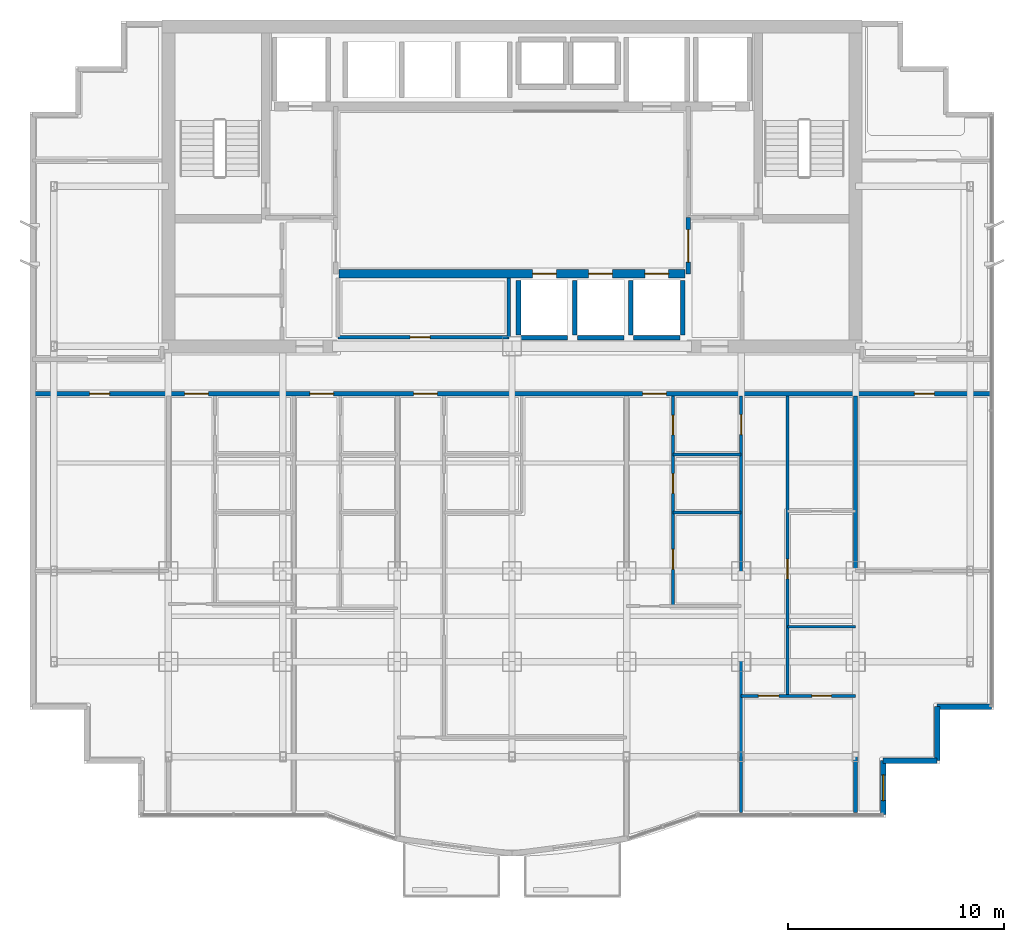
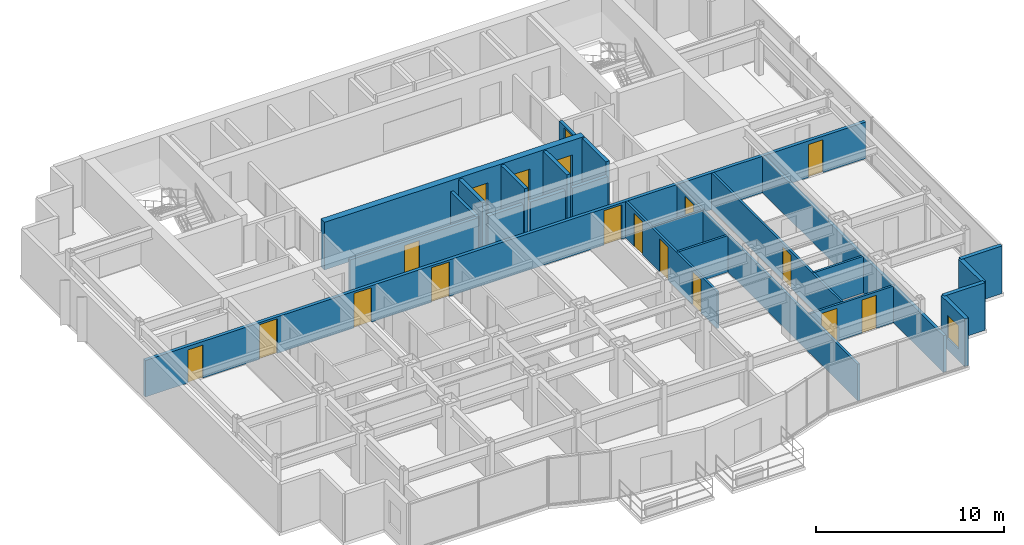
# One storey, part 9 of 13: 24 walls, 18 doors, 1 window, 19 openings.
"""IFC4 building model written with IfcOpenShell, lengths in metres."""

from ifc_helpers import new_model, si_unit, direction, frame, frame_2d, origin, place, context, subcontext, project, spatial, rectangle, extrude, material, layer, layer_set, type_object, element, fill, save


model = new_model("IFC4")

# Units and contexts
model_context = context("Model", 3, precision=1e-05, world=origin(), true_north=direction((0.0, 1.0)))
body_context = subcontext(model_context, "Body", "Model", "MODEL_VIEW")
ifc_project = project(units=[si_unit("LENGTHUNIT", "METRE"), si_unit("AREAUNIT", "SQUARE_METRE"), si_unit("VOLUMEUNIT", "CUBIC_METRE"), si_unit("PLANEANGLEUNIT", "RADIAN"), si_unit("MASSUNIT", "GRAM", prefix="KILO")], contexts=[model_context])

# Site, building, storey
site_placement = place(None, origin())
site = spatial("IfcSite", under=ifc_project, at=site_placement, CompositionType="ELEMENT")
building_placement = place(site_placement, origin())
building = spatial("IfcBuilding", under=site, at=building_placement, Name="Qianlan Lanfeng Residences", CompositionType="ELEMENT")
storey_placement = place(building_placement, frame((0.0, 0.0, 139.199951171875)))
storey = spatial("IfcBuildingStorey", under=building, at=storey_placement, Name="L37", CompositionType="ELEMENT", Elevation=139.199951171875)

# Wall, openings, doors
ifc_material_1 = material(Name="Concrete C56", Category="concrete")
ifc_layer_1 = layer(ifc_material_1, 0.39990234375)
ifc_layer_set_1 = layer_set([ifc_layer_1], Name="Concrete C56")
wall_type_1 = type_object("IfcWallType", Name="CW-RC-400", PredefinedType="SHEAR", material=ifc_layer_set_1)
wall_1_placement = place(storey_placement, frame((18.5, 28.550048828125, 0.0), z_axis=(0.0, 0.0, 1.0), x_axis=(1.0, 0.0, 0.0)))
wall_1 = element("IfcWall", 1, at=wall_1_placement, inside=storey, type_object=wall_type_1, Name="L37 Core Shear Wall LBS", PredefinedType="SHEAR", context=body_context, shape_type="SweptSolid", body=[
    extrude(rectangle(XDim=16.0, YDim=0.39990234375, at=frame_2d((8.0, 0.0))), origin(), (0.0, 0.0, 1.0), 3.10009765625),
])
opening_1_placement = place(wall_1_placement, frame((8.949951171875, 0.0, 0.0)))
opening_1 = element("IfcOpeningElement", 2, at=opening_1_placement, cuts=wall_1, Name="Opening L37-LD-PL-M1", PredefinedType="OPENING", context=body_context, shape_type="SweptSolid", body=[
    extrude(rectangle(XDim=1.10009765625, YDim=2.14990234375, at=frame_2d((0.550048828125, 1.074951171875))), frame((0.0, 0.2099609375, 0.0), z_axis=(0.0, -1.0, 0.0), x_axis=(1.0, 0.0, 0.0)), (0.0, 0.0, 1.0), 0.419921875),
])
opening_2_placement = place(wall_1_placement, frame((11.550048828125, 0.0, 0.0)))
opening_2 = element("IfcOpeningElement", 3, at=opening_2_placement, cuts=wall_1, Name="Opening L37-LD-PL-M2", PredefinedType="OPENING", context=body_context, shape_type="SweptSolid", body=[
    extrude(rectangle(XDim=1.10009765625, YDim=2.14990234375, at=frame_2d((0.550048828125, 1.074951171875))), frame((0.0, 0.2099609375, 0.0), z_axis=(0.0, -1.0, 0.0), x_axis=(1.0, 0.0, 0.0)), (0.0, 0.0, 1.0), 0.419921875),
])
opening_3_placement = place(wall_1_placement, frame((14.14990234375, 0.0, 0.0)))
opening_3 = element("IfcOpeningElement", 4, at=opening_3_placement, cuts=wall_1, Name="Opening L37-LD-PL-M3", PredefinedType="OPENING", context=body_context, shape_type="SweptSolid", body=[
    extrude(rectangle(XDim=1.10009765625, YDim=2.14990234375, at=frame_2d((0.550048828125, 1.074951171875))), frame((0.0, 0.2099609375, 0.0), z_axis=(0.0, -1.0, 0.0), x_axis=(1.0, 0.0, 0.0)), (0.0, 0.0, 1.0), 0.419921875),
])
ifc_material_2 = material(Name="Brushed Stainless Steel Sliding Lift Door", Category="steel")
door_type_1 = type_object("IfcDoorType", Name="LD-01", OperationType="NOTDEFINED", PredefinedType="DOOR", material=ifc_material_2)
door_1_placement = place(opening_1_placement, origin())
door_1 = element("IfcDoor", 5, at=door_1_placement, inside=storey, type_object=door_type_1, Name="L37 Elevator PL-M1 Sliding Landing Door", OperationType="DOUBLE_DOOR_SLIDING", OverallHeight=2.14990234375, OverallWidth=1.10009765625, PredefinedType="DOOR", context=body_context, shape_type="SweptSolid", body=[
    extrude(rectangle(XDim=1.10009765625, YDim=2.14990234375, at=frame_2d((0.550048828125, 1.074951171875))), frame((0.0, 0.02490234375, 0.0), z_axis=(0.0, -1.0, 0.0), x_axis=(1.0, 0.0, 0.0)), (0.0, 0.0, 1.0), 0.050048828125),
])
fill(opening_1, door_1)
door_2_placement = place(opening_2_placement, origin())
door_2 = element("IfcDoor", 6, at=door_2_placement, inside=storey, type_object=door_type_1, Name="L37 Elevator PL-M2 Sliding Landing Door", OperationType="DOUBLE_DOOR_SLIDING", OverallHeight=2.14990234375, OverallWidth=1.10009765625, PredefinedType="DOOR", context=body_context, shape_type="SweptSolid", body=[
    extrude(rectangle(XDim=1.10009765625, YDim=2.14990234375, at=frame_2d((0.550048828125, 1.074951171875))), frame((0.0, 0.02490234375, 0.0), z_axis=(0.0, -1.0, 0.0), x_axis=(1.0, 0.0, 0.0)), (0.0, 0.0, 1.0), 0.050048828125),
])
fill(opening_2, door_2)
door_3_placement = place(opening_3_placement, origin())
door_3 = element("IfcDoor", 7, at=door_3_placement, inside=storey, type_object=door_type_1, Name="L37 Elevator PL-M3 Sliding Landing Door", OperationType="DOUBLE_DOOR_SLIDING", OverallHeight=2.14990234375, OverallWidth=1.10009765625, PredefinedType="DOOR", context=body_context, shape_type="SweptSolid", body=[
    extrude(rectangle(XDim=1.10009765625, YDim=2.14990234375, at=frame_2d((0.550048828125, 1.074951171875))), frame((0.0, 0.02490234375, 0.0), z_axis=(0.0, -1.0, 0.0), x_axis=(1.0, 0.0, 0.0)), (0.0, 0.0, 1.0), 0.050048828125),
])
fill(opening_3, door_3)

# Wall, opening, window
ifc_material_3 = material(Name="Concrete C42", Category="concrete")
ifc_layer_2 = layer(ifc_material_3, 0.239990234375)
ifc_layer_set_2 = layer_set([ifc_layer_2], Name="Concrete C42")
wall_type_2 = type_object("IfcWallType", Name="EW-240", PredefinedType="SOLIDWALL", material=ifc_layer_set_2)
wall_2_placement = place(storey_placement, frame((43.679931640625, 3.52001953125, 0.0), z_axis=(0.0, 0.0, 1.0), x_axis=(0.0, 1.0, 0.0)))
wall_2 = element("IfcWall", 8, at=wall_2_placement, inside=storey, type_object=wall_type_2, Name="L37 Exterior Facade Spandrel Wall 7", PredefinedType="SOLIDWALL", context=body_context, shape_type="SweptSolid", body=[
    extrude(rectangle(XDim=2.5, YDim=0.239990234375, at=frame_2d((1.25, 0.0))), origin(), (0.0, 0.0, 1.0), 3.10009765625),
])
opening_4_placement = place(wall_2_placement, frame((0.64990234375, 0.0, 0.75)))
opening_4 = element("IfcOpeningElement", 9, at=opening_4_placement, cuts=wall_2, Name="Opening W-03", PredefinedType="OPENING", context=body_context, shape_type="SweptSolid", body=[
    extrude(rectangle(XDim=1.199951171875, YDim=1.5, at=frame_2d((0.60009765625, 0.75))), frame((0.0, 0.1298828125, 0.0), z_axis=(0.0, -1.0, 0.0), x_axis=(1.0, 0.0, 0.0)), (0.0, 0.0, 1.0), 0.260009765625),
])
ifc_material_4 = material(Name="Anodised Bronze Aluminium Framed Double Glazing", Category="aluminium")
window_type = type_object("IfcWindowType", Name="W-03", PartitioningType="SINGLE_PANEL", PredefinedType="WINDOW", material=ifc_material_4)
window_placement = place(opening_4_placement, origin())
window = element("IfcWindow", 10, at=window_placement, inside=storey, type_object=window_type, Name="L37 Facade Punched Window W-03", OverallHeight=1.5, OverallWidth=1.199951171875, PartitioningType="SINGLE_PANEL", PredefinedType="WINDOW", context=body_context, shape_type="SweptSolid", body=[
    extrude(rectangle(XDim=1.199951171875, YDim=1.5, at=frame_2d((0.60009765625, 0.75))), frame((0.0, 0.030029296875, 0.0), z_axis=(0.0, -1.0, 0.0), x_axis=(1.0, 0.0, 0.0)), (0.0, 0.0, 1.0), 0.06005859375),
])
fill(opening_4, window)

# Walls
for number, where, z_axis, x_axis, name in (
    (11, (43.679931640625, 6.02001953125, 0.0), (0.0, 0.0, 1.0), (1.0, 0.0, 0.0), "L37 Exterior Facade Spandrel Wall 8"),
    (12, (46.179931640625, 6.02001953125, 0.0), (0.0, 0.0, 1.0), (0.0, 1.0, 0.0), "L37 Exterior Facade Spandrel Wall 9"),
    (13, (46.179931640625, 8.52001953125, 0.0), (0.0, 0.0, 1.0), (1.0, 0.0, 0.0), "L37 Exterior Facade Spandrel Wall 10"),
):
    element("IfcWall", number, at=place(storey_placement, frame(where, z_axis=z_axis, x_axis=x_axis)), inside=storey, type_object=wall_type_2, Name=name, PredefinedType="SOLIDWALL", context=body_context, shape_type="SweptSolid", body=[
        extrude(rectangle(XDim=2.5, YDim=0.239990234375, at=frame_2d((1.25, 0.0))), origin(), (0.0, 0.0, 1.0), 3.10009765625),
    ])

# Wall, opening, door
ifc_material_5 = material(Name="Moisture-Resistant Gypsum Partition 135 mm")
ifc_layer_3 = layer(ifc_material_5, 0.135009765625)
ifc_layer_set_3 = layer_set([ifc_layer_3], Name="Moisture-Resistant Gypsum Partition 135 mm")
wall_type_3 = type_object("IfcWallType", Name="PW-135", PredefinedType="PARTITIONING", material=ifc_layer_set_3)
wall_3_placement = place(storey_placement, frame((37.10009765625, 3.6201171875, 0.0), z_axis=(0.0, 0.0, 1.0), x_axis=(0.0, 1.0, 0.0)))
wall_3 = element("IfcWall", 14, at=wall_3_placement, inside=storey, type_object=wall_type_3, Name="L37 U04 Bay Spine Wall 1", PredefinedType="PARTITIONING", context=body_context, shape_type="SweptSolid", body=[
    extrude(rectangle(XDim=19.27978515625, YDim=0.135009765625, at=frame_2d((9.639892578125, 0.0))), origin(), (0.0, 0.0, 1.0), 2.380126953125),
])
opening_5_placement = place(wall_3_placement, frame((17.4951171875, 0.0, 0.0)))
opening_5 = element("IfcOpeningElement", 15, at=opening_5_placement, cuts=wall_3, Name="Opening L37-D31", PredefinedType="OPENING", context=body_context, shape_type="SweptSolid", body=[
    extrude(rectangle(XDim=0.919921875, YDim=2.14990234375, at=frame_2d((0.4599609375, 1.074951171875))), frame((0.0, 0.07763671875, 0.0), z_axis=(0.0, -1.0, 0.0), x_axis=(1.0, 0.0, 0.0)), (0.0, 0.0, 1.0), 0.155029296875),
])
ifc_material_6 = material(Name="Glazed Timber Kitchen/Study Door", Category="wood")
door_type_2 = type_object("IfcDoorType", Name="DT-INT", OperationType="NOTDEFINED", PredefinedType="DOOR", material=ifc_material_6)
door_4_placement = place(opening_5_placement, origin())
door_4 = element("IfcDoor", 16, at=door_4_placement, inside=storey, type_object=door_type_2, Name="L37 U04 Internal Hall Door L37-D31 (DT-INT)", OperationType="SINGLE_SWING_LEFT", OverallHeight=2.14990234375, OverallWidth=0.919921875, PredefinedType="DOOR", context=body_context, shape_type="SweptSolid", body=[
    extrude(rectangle(XDim=0.919921875, YDim=2.14990234375, at=frame_2d((0.4599609375, 1.074951171875))), frame((0.0, 0.02490234375, 0.0), z_axis=(0.0, -1.0, 0.0), x_axis=(1.0, 0.0, 0.0)), (0.0, 0.0, 1.0), 0.050048828125),
])
fill(opening_5, door_4)

# Wall, openings, doors
wall_4_placement = place(storey_placement, frame((33.949951171875, 13.174072265625, 0.0), z_axis=(0.0, 0.0, 1.0), x_axis=(0.0, 1.0, 0.0)))
wall_4 = element("IfcWall", 17, at=wall_4_placement, inside=storey, type_object=wall_type_3, Name="L37 U04 Entry Hall Spine", PredefinedType="PARTITIONING", context=body_context, shape_type="SweptSolid", body=[
    extrude(rectangle(XDim=9.725830078125, YDim=0.135009765625, at=frame_2d((4.86279296875, 0.0))), origin(), (0.0, 0.0, 1.0), 2.380126953125),
])
opening_6_placement = place(wall_4_placement, frame((1.702880859375, 0.0, 0.0)))
opening_6 = element("IfcOpeningElement", 18, at=opening_6_placement, cuts=wall_4, Name="Opening L37-D33", PredefinedType="OPENING", context=body_context, shape_type="SweptSolid", body=[
    extrude(rectangle(XDim=0.919921875, YDim=2.14990234375, at=frame_2d((0.4599609375, 1.074951171875))), frame((0.0, 0.07763671875, 0.0), z_axis=(0.0, -1.0, 0.0), x_axis=(1.0, 0.0, 0.0)), (0.0, 0.0, 1.0), 0.155029296875),
])
opening_7_placement = place(wall_4_placement, frame((5.216064453125, 0.0, 0.0)))
opening_7 = element("IfcOpeningElement", 19, at=opening_7_placement, cuts=wall_4, Name="Opening L37-D34", PredefinedType="OPENING", context=body_context, shape_type="SweptSolid", body=[
    extrude(rectangle(XDim=0.919921875, YDim=2.14990234375, at=frame_2d((0.4599609375, 1.074951171875))), frame((0.0, 0.07763671875, 0.0), z_axis=(0.0, -1.0, 0.0), x_axis=(1.0, 0.0, 0.0)), (0.0, 0.0, 1.0), 0.155029296875),
])
opening_8_placement = place(wall_4_placement, frame((7.926025390625, 0.0, 0.0)))
opening_8 = element("IfcOpeningElement", 20, at=opening_8_placement, cuts=wall_4, Name="Opening L37-D35", PredefinedType="OPENING", context=body_context, shape_type="SweptSolid", body=[
    extrude(rectangle(XDim=0.89990234375, YDim=2.14990234375, at=frame_2d((0.449951171875, 1.074951171875))), frame((0.0, 0.07763671875, 0.0), z_axis=(0.0, -1.0, 0.0), x_axis=(1.0, 0.0, 0.0)), (0.0, 0.0, 1.0), 0.155029296875),
])
door_5_placement = place(opening_6_placement, origin())
door_5 = element("IfcDoor", 21, at=door_5_placement, inside=storey, type_object=door_type_2, Name="L37 U04 Study Door L37-D33 (DT-INT)", OperationType="SINGLE_SWING_LEFT", OverallHeight=2.14990234375, OverallWidth=0.919921875, PredefinedType="DOOR", context=body_context, shape_type="SweptSolid", body=[
    extrude(rectangle(XDim=0.919921875, YDim=2.14990234375, at=frame_2d((0.4599609375, 1.074951171875))), frame((0.0, 0.02490234375, 0.0), z_axis=(0.0, -1.0, 0.0), x_axis=(1.0, 0.0, 0.0)), (0.0, 0.0, 1.0), 0.050048828125),
])
fill(opening_6, door_5)
door_6_placement = place(opening_7_placement, origin())
door_6 = element("IfcDoor", 22, at=door_6_placement, inside=storey, type_object=door_type_2, Name="L37 U04 Kitchen Door L37-D34 (DT-INT)", OperationType="SINGLE_SWING_RIGHT", OverallHeight=2.14990234375, OverallWidth=0.919921875, PredefinedType="DOOR", context=body_context, shape_type="SweptSolid", body=[
    extrude(rectangle(XDim=0.919921875, YDim=2.14990234375, at=frame_2d((0.4599609375, 1.074951171875))), frame((0.0, 0.02490234375, 0.0), z_axis=(0.0, -1.0, 0.0), x_axis=(1.0, 0.0, 0.0)), (0.0, 0.0, 1.0), 0.050048828125),
])
fill(opening_7, door_6)
ifc_material_7 = material(Name="Moisture-Resistant Timber Leaf", Category="wood")
door_type_3 = type_object("IfcDoorType", Name="DT-WC", OperationType="NOTDEFINED", PredefinedType="DOOR", material=ifc_material_7)
door_7_placement = place(opening_8_placement, origin())
door_7 = element("IfcDoor", 23, at=door_7_placement, inside=storey, type_object=door_type_3, Name="L37 U04 Bathroom Door L37-D35 (DT-WC)", OperationType="SINGLE_SWING_LEFT", OverallHeight=2.14990234375, OverallWidth=0.89990234375, PredefinedType="DOOR", context=body_context, shape_type="SweptSolid", body=[
    extrude(rectangle(XDim=0.89990234375, YDim=2.14990234375, at=frame_2d((0.449951171875, 1.074951171875))), frame((0.0, 0.02490234375, 0.0), z_axis=(0.0, -1.0, 0.0), x_axis=(1.0, 0.0, 0.0)), (0.0, 0.0, 1.0), 0.050048828125),
])
fill(opening_8, door_7)

# Walls
for number, where, z_axis, x_axis, name in (
    (24, (33.949951171875, 17.5, 0.0), (0.0, 0.0, 1.0), (1.0, 0.0, 0.0), "L37 U04 Kitchen South Wall"),
    (25, (33.949951171875, 20.199951171875, 0.0), (0.0, 0.0, 1.0), (1.0, 0.0, 0.0), "L37 U04 Bathroom South Wall"),
):
    element("IfcWall", number, at=place(storey_placement, frame(where, z_axis=z_axis, x_axis=x_axis)), inside=storey, type_object=wall_type_3, Name=name, PredefinedType="PARTITIONING", context=body_context, shape_type="SweptSolid", body=[
        extrude(rectangle(XDim=3.150146484375, YDim=0.135009765625, at=frame_2d((1.5751953125, 0.0))), origin(), (0.0, 0.0, 1.0), 2.380126953125),
    ])

# Wall, openings, doors
wall_5_placement = place(storey_placement, frame((37.10009765625, 9.02001953125, 0.0), z_axis=(0.0, 0.0, 1.0), x_axis=(1.0, 0.0, 0.0)))
wall_5 = element("IfcWall", 26, at=wall_5_placement, inside=storey, type_object=wall_type_3, Name="L37 U04 Master Bedroom North Wall", PredefinedType="PARTITIONING", context=body_context, shape_type="SweptSolid", body=[
    extrude(rectangle(XDim=5.2998046875, YDim=0.135009765625, at=frame_2d((2.64990234375, 0.0))), origin(), (0.0, 0.0, 1.0), 2.380126953125),
])
opening_9_placement = place(wall_5_placement, frame((0.800048828125, 0.0, 0.0)))
opening_9 = element("IfcOpeningElement", 27, at=opening_9_placement, cuts=wall_5, Name="Opening L37-D36", PredefinedType="OPENING", context=body_context, shape_type="SweptSolid", body=[
    extrude(rectangle(XDim=0.949951171875, YDim=2.14990234375, at=frame_2d((0.47509765625, 1.074951171875))), frame((0.0, 0.07763671875, 0.0), z_axis=(0.0, -1.0, 0.0), x_axis=(1.0, 0.0, 0.0)), (0.0, 0.0, 1.0), 0.155029296875),
])
opening_10_placement = place(wall_5_placement, frame((3.27490234375, 0.0, 0.0)))
opening_10 = element("IfcOpeningElement", 28, at=opening_10_placement, cuts=wall_5, Name="Opening L37-D37", PredefinedType="OPENING", context=body_context, shape_type="SweptSolid", body=[
    extrude(rectangle(XDim=0.89990234375, YDim=2.14990234375, at=frame_2d((0.449951171875, 1.074951171875))), frame((0.0, 0.07763671875, 0.0), z_axis=(0.0, -1.0, 0.0), x_axis=(1.0, 0.0, 0.0)), (0.0, 0.0, 1.0), 0.155029296875),
])
ifc_material_8 = material(Name="Painted Solid-Core Timber Leaf", Category="wood")
door_type_4 = type_object("IfcDoorType", Name="DT-BED", OperationType="NOTDEFINED", PredefinedType="DOOR", material=ifc_material_8)
door_8_placement = place(opening_9_placement, origin())
door_8 = element("IfcDoor", 29, at=door_8_placement, inside=storey, type_object=door_type_4, Name="L37 U04 Master Bedroom Door L37-D36 (DT-BED)", OperationType="SINGLE_SWING_LEFT", OverallHeight=2.14990234375, OverallWidth=0.949951171875, PredefinedType="DOOR", context=body_context, shape_type="SweptSolid", body=[
    extrude(rectangle(XDim=0.949951171875, YDim=2.14990234375, at=frame_2d((0.47509765625, 1.074951171875))), frame((0.0, 0.02490234375, 0.0), z_axis=(0.0, -1.0, 0.0), x_axis=(1.0, 0.0, 0.0)), (0.0, 0.0, 1.0), 0.050048828125),
])
fill(opening_9, door_8)
door_9_placement = place(opening_10_placement, origin())
door_9 = element("IfcDoor", 30, at=door_9_placement, inside=storey, type_object=door_type_3, Name="L37 U04 En-Suite Bathroom Door L37-D37 (DT-WC)", OperationType="SINGLE_SWING_LEFT", OverallHeight=2.14990234375, OverallWidth=0.89990234375, PredefinedType="DOOR", context=body_context, shape_type="SweptSolid", body=[
    extrude(rectangle(XDim=0.89990234375, YDim=2.14990234375, at=frame_2d((0.449951171875, 1.074951171875))), frame((0.0, 0.02490234375, 0.0), z_axis=(0.0, -1.0, 0.0), x_axis=(1.0, 0.0, 0.0)), (0.0, 0.0, 1.0), 0.050048828125),
])
fill(opening_10, door_9)

# Wall, opening, door
wall_6_placement = place(storey_placement, frame((39.25, 9.02001953125, 0.0), z_axis=(0.0, 0.0, 1.0), x_axis=(0.0, 1.0, 0.0)))
wall_6 = element("IfcWall", 31, at=wall_6_placement, inside=storey, type_object=wall_type_3, Name="L37 U04 Master Passage Wall", PredefinedType="PARTITIONING", context=body_context, shape_type="SweptSolid", body=[
    extrude(rectangle(XDim=13.8798828125, YDim=0.135009765625, at=frame_2d((6.93994140625, 0.0))), origin(), (0.0, 0.0, 1.0), 2.380126953125),
])
opening_11_placement = place(wall_6_placement, frame((5.409912109375, 0.0, 0.0)))
opening_11 = element("IfcOpeningElement", 32, at=opening_11_placement, cuts=wall_6, Name="Opening L37-D38", PredefinedType="OPENING", context=body_context, shape_type="SweptSolid", body=[
    extrude(rectangle(XDim=0.919921875, YDim=2.14990234375, at=frame_2d((0.4599609375, 1.074951171875))), frame((0.0, 0.07763671875, 0.0), z_axis=(0.0, -1.0, 0.0), x_axis=(1.0, 0.0, 0.0)), (0.0, 0.0, 1.0), 0.155029296875),
])
door_10_placement = place(opening_11_placement, origin())
door_10 = element("IfcDoor", 33, at=door_10_placement, inside=storey, type_object=door_type_2, Name="L37 U04 Wardrobe Door L37-D38 (DT-INT)", OperationType="SINGLE_SWING_RIGHT", OverallHeight=2.14990234375, OverallWidth=0.919921875, PredefinedType="DOOR", context=body_context, shape_type="SweptSolid", body=[
    extrude(rectangle(XDim=0.919921875, YDim=2.14990234375, at=frame_2d((0.4599609375, 1.074951171875))), frame((0.0, 0.02490234375, 0.0), z_axis=(0.0, -1.0, 0.0), x_axis=(1.0, 0.0, 0.0)), (0.0, 0.0, 1.0), 0.050048828125),
])
fill(opening_11, door_10)

# Walls
wall_7_placement = place(storey_placement, frame((39.25, 12.219970703125, 0.0), z_axis=(0.0, 0.0, 1.0), x_axis=(1.0, 0.0, 0.0)))
element("IfcWall", 34, at=wall_7_placement, inside=storey, type_object=wall_type_3, Name="L37 U04 En-Suite North Wall", PredefinedType="PARTITIONING", context=body_context, shape_type="SweptSolid", body=[
    extrude(rectangle(XDim=3.14990234375, YDim=0.135009765625, at=frame_2d((1.574951171875, 0.0))), origin(), (0.0, 0.0, 1.0), 2.380126953125),
])
ifc_material_9 = material(Name="Double-Layer Acoustic Gypsum Stud Wall 180 mm")
ifc_layer_4 = layer(ifc_material_9, 0.179931640625)
ifc_layer_set_4 = layer_set([ifc_layer_4], Name="Double-Layer Acoustic Gypsum Stud Wall 180 mm")
wall_type_4 = type_object("IfcWallType", Name="PW-180", PredefinedType="PARTITIONING", material=ifc_layer_set_4)
wall_8_placement = place(storey_placement, frame((26.35009765625, 25.6201171875, 0.0), z_axis=(0.0, 0.0, 1.0), x_axis=(0.0, 1.0, 0.0)))
element("IfcWall", 35, at=wall_8_placement, inside=storey, type_object=wall_type_4, Name="L37 Reclaimed Low-Bank Room East Wall", PredefinedType="PARTITIONING", context=body_context, shape_type="SweptSolid", body=[
    extrude(rectangle(XDim=2.72998046875, YDim=0.179931640625, at=frame_2d((1.364990234375, 0.0))), origin(), (0.0, 0.0, 1.0), 2.380126953125),
])

# Wall, opening, door
wall_9_placement = place(storey_placement, frame((18.449951171875, 25.6201171875, 0.0), z_axis=(0.0, 0.0, 1.0), x_axis=(1.0, 0.0, 0.0)))
wall_9 = element("IfcWall", 36, at=wall_9_placement, inside=storey, type_object=wall_type_4, Name="L37 Reclaimed Low-Bank Room South Wall", PredefinedType="PARTITIONING", context=body_context, shape_type="SweptSolid", body=[
    extrude(rectangle(XDim=7.900146484375, YDim=0.179931640625, at=frame_2d((3.9501953125, 0.0))), origin(), (0.0, 0.0, 1.0), 2.380126953125),
])
opening_12_placement = place(wall_9_placement, frame((3.340087890625, 0.0, 0.0)))
opening_12 = element("IfcOpeningElement", 37, at=opening_12_placement, cuts=wall_9, Name="Opening L37-D14", PredefinedType="OPENING", context=body_context, shape_type="SweptSolid", body=[
    extrude(rectangle(XDim=0.919921875, YDim=2.14990234375, at=frame_2d((0.4599609375, 1.074951171875))), frame((0.0, 0.10009765625, 0.0), z_axis=(0.0, -1.0, 0.0), x_axis=(1.0, 0.0, 0.0)), (0.0, 0.0, 1.0), 0.199951171875),
])
door_11_placement = place(opening_12_placement, origin())
door_11 = element("IfcDoor", 38, at=door_11_placement, inside=storey, type_object=door_type_2, Name="L37 Reclaimed Core Salon Door L37-D14 (DT-INT)", OperationType="SINGLE_SWING_RIGHT", OverallHeight=2.14990234375, OverallWidth=0.919921875, PredefinedType="DOOR", context=body_context, shape_type="SweptSolid", body=[
    extrude(rectangle(XDim=0.919921875, YDim=2.14990234375, at=frame_2d((0.4599609375, 1.074951171875))), frame((0.0, 0.02490234375, 0.0), z_axis=(0.0, -1.0, 0.0), x_axis=(1.0, 0.0, 0.0)), (0.0, 0.0, 1.0), 0.050048828125),
])
fill(opening_12, door_11)

# Wall
wall_10_placement = place(storey_placement, frame((42.39990234375, 3.6201171875, 0.0), z_axis=(0.0, 0.0, 1.0), x_axis=(0.0, 1.0, 0.0)))
element("IfcWall", 39, at=wall_10_placement, inside=storey, type_object=wall_type_4, Name="L37 Wing Boundary Party Wall E0", PredefinedType="PARTITIONING", context=body_context, shape_type="SweptSolid", body=[
    extrude(rectangle(XDim=19.27978515625, YDim=0.179931640625, at=frame_2d((9.639892578125, 0.0))), origin(), (0.0, 0.0, 1.0), 2.380126953125),
])

# Wall, opening, door
ifc_material_10 = material(Name="Autoclaved Aerated Concrete Blockwork 200 mm", Category="masonry")
ifc_layer_5 = layer(ifc_material_10, 0.199951171875)
ifc_layer_set_5 = layer_set([ifc_layer_5], Name="Autoclaved Aerated Concrete Blockwork 200 mm")
wall_type_5 = type_object("IfcWallType", Name="PW-200", PredefinedType="PARTITIONING", material=ifc_layer_set_5)
wall_11_placement = place(storey_placement, frame((34.64990234375, 28.550048828125, 0.0), z_axis=(0.0, 0.0, 1.0), x_axis=(0.0, 1.0, 0.0)))
wall_11 = element("IfcWall", 40, at=wall_11_placement, inside=storey, type_object=wall_type_5, Name="L37 Lift Lobby East Connector Wall", PredefinedType="PARTITIONING", context=body_context, shape_type="SweptSolid", body=[
    extrude(rectangle(XDim=2.599853515625, YDim=0.199951171875, at=frame_2d((1.2998046875, 0.0))), origin(), (0.0, 0.0, 1.0), 2.380126953125),
])
opening_13_placement = place(wall_11_placement, frame((0.550048828125, 0.0, 0.0)))
opening_13 = element("IfcOpeningElement", 41, at=opening_13_placement, cuts=wall_11, Name="Opening L37-D13", PredefinedType="OPENING", context=body_context, shape_type="SweptSolid", body=[
    extrude(rectangle(XDim=1.5, YDim=2.25, at=frame_2d((0.75, 1.125))), frame((0.0, 0.10986328125, 0.0), z_axis=(0.0, -1.0, 0.0), x_axis=(1.0, 0.0, 0.0)), (0.0, 0.0, 1.0), 0.219970703125),
])
ifc_material_11 = material(Name="Timber Veneer Acoustic Fire Door", Category="wood")
door_type_5 = type_object("IfcDoorType", Name="DT-COR1", OperationType="NOTDEFINED", PredefinedType="DOOR", material=ifc_material_11)
door_12_placement = place(opening_13_placement, frame((1.5, 0.0, 0.0), z_axis=(0.0, 0.0, 1.0), x_axis=(-1.0, 0.0, 0.0)))
door_12 = element("IfcDoor", 42, at=door_12_placement, inside=storey, type_object=door_type_5, Name="L37 Lift Lobby East Portal Door L37-D13 (DT-COR1)", OperationType="DOUBLE_DOOR_SINGLE_SWING", OverallHeight=2.25, OverallWidth=1.5, PredefinedType="DOOR", context=body_context, shape_type="SweptSolid", body=[
    extrude(rectangle(XDim=1.5, YDim=2.25, at=frame_2d((0.75, 1.125))), frame((0.0, 0.02490234375, 0.0), z_axis=(0.0, -1.0, 0.0), x_axis=(1.0, 0.0, 0.0)), (0.0, 0.0, 1.0), 0.050048828125),
])
fill(opening_13, door_12)

# Wall, openings, doors
wall_12_placement = place(storey_placement, frame((4.320068359375, 23.0, 0.0), z_axis=(0.0, 0.0, 1.0), x_axis=(1.0, 0.0, 0.0)))
wall_12 = element("IfcWall", 43, at=wall_12_placement, inside=storey, type_object=wall_type_5, Name="L37 Residential Corridor South Fire Wall", PredefinedType="PARTITIONING", context=body_context, shape_type="SweptSolid", body=[
    extrude(rectangle(XDim=44.35986328125, YDim=0.199951171875, at=frame_2d((22.179931640625, 0.0))), origin(), (0.0, 0.0, 1.0), 2.380126953125),
])
opening_14_placement = place(wall_12_placement, frame((7.030029296875, 0.0, 0.0)))
opening_14 = element("IfcOpeningElement", 44, at=opening_14_placement, cuts=wall_12, Name="Opening L37-D15", PredefinedType="OPENING", context=body_context, shape_type="SweptSolid", body=[
    extrude(rectangle(XDim=1.10009765625, YDim=2.25, at=frame_2d((0.550048828125, 1.125))), frame((0.0, 0.10986328125, 0.0), z_axis=(0.0, -1.0, 0.0), x_axis=(1.0, 0.0, 0.0)), (0.0, 0.0, 1.0), 0.219970703125),
])
opening_15_placement = place(wall_12_placement, frame((12.830078125, 0.0, 0.0)))
opening_15 = element("IfcOpeningElement", 45, at=opening_15_placement, cuts=wall_12, Name="Opening L37-D20", PredefinedType="OPENING", context=body_context, shape_type="SweptSolid", body=[
    extrude(rectangle(XDim=1.10009765625, YDim=2.25, at=frame_2d((0.550048828125, 1.125))), frame((0.0, 0.10986328125, 0.0), z_axis=(0.0, -1.0, 0.0), x_axis=(1.0, 0.0, 0.0)), (0.0, 0.0, 1.0), 0.219970703125),
])
opening_16_placement = place(wall_12_placement, frame((17.6298828125, 0.0, 0.0)))
opening_16 = element("IfcOpeningElement", 46, at=opening_16_placement, cuts=wall_12, Name="Opening L37-D25", PredefinedType="OPENING", context=body_context, shape_type="SweptSolid", body=[
    extrude(rectangle(XDim=1.10009765625, YDim=2.25, at=frame_2d((0.550048828125, 1.125))), frame((0.0, 0.10986328125, 0.0), z_axis=(0.0, -1.0, 0.0), x_axis=(1.0, 0.0, 0.0)), (0.0, 0.0, 1.0), 0.219970703125),
])
opening_17_placement = place(wall_12_placement, frame((28.22998046875, 0.0, 0.0)))
opening_17 = element("IfcOpeningElement", 47, at=opening_17_placement, cuts=wall_12, Name="Opening L37-D30", PredefinedType="OPENING", context=body_context, shape_type="SweptSolid", body=[
    extrude(rectangle(XDim=1.10009765625, YDim=2.25, at=frame_2d((0.550048828125, 1.125))), frame((0.0, 0.10986328125, 0.0), z_axis=(0.0, -1.0, 0.0), x_axis=(1.0, 0.0, 0.0)), (0.0, 0.0, 1.0), 0.219970703125),
])
opening_18_placement = place(wall_12_placement, frame((2.635009765625, 0.0, 0.0)))
opening_18 = element("IfcOpeningElement", 48, at=opening_18_placement, cuts=wall_12, Name="Opening L37-D41", PredefinedType="OPENING", context=body_context, shape_type="SweptSolid", body=[
    extrude(rectangle(XDim=0.919921875, YDim=2.14990234375, at=frame_2d((0.4599609375, 1.074951171875))), frame((0.0, 0.10986328125, 0.0), z_axis=(0.0, -1.0, 0.0), x_axis=(1.0, 0.0, 0.0)), (0.0, 0.0, 1.0), 0.219970703125),
])
opening_19_placement = place(wall_12_placement, frame((40.804931640625, 0.0, 0.0)))
opening_19 = element("IfcOpeningElement", 49, at=opening_19_placement, cuts=wall_12, Name="Opening L37-D43", PredefinedType="OPENING", context=body_context, shape_type="SweptSolid", body=[
    extrude(rectangle(XDim=0.919921875, YDim=2.14990234375, at=frame_2d((0.4599609375, 1.074951171875))), frame((0.0, 0.10986328125, 0.0), z_axis=(0.0, -1.0, 0.0), x_axis=(1.0, 0.0, 0.0)), (0.0, 0.0, 1.0), 0.219970703125),
])
door_13_placement = place(opening_18_placement, origin())
door_13 = element("IfcDoor", 50, at=door_13_placement, inside=storey, type_object=door_type_2, Name="L37 SWP Corridor Door L37-D41 (DT-INT)", OperationType="SINGLE_SWING_LEFT", OverallHeight=2.14990234375, OverallWidth=0.919921875, PredefinedType="DOOR", context=body_context, shape_type="SweptSolid", body=[
    extrude(rectangle(XDim=0.919921875, YDim=2.14990234375, at=frame_2d((0.4599609375, 1.074951171875))), frame((0.0, 0.02490234375, 0.0), z_axis=(0.0, -1.0, 0.0), x_axis=(1.0, 0.0, 0.0)), (0.0, 0.0, 1.0), 0.050048828125),
])
fill(opening_18, door_13)
door_14_placement = place(opening_19_placement, origin())
door_14 = element("IfcDoor", 51, at=door_14_placement, inside=storey, type_object=door_type_2, Name="L37 SEP Corridor Door L37-D43 (DT-INT)", OperationType="SINGLE_SWING_LEFT", OverallHeight=2.14990234375, OverallWidth=0.919921875, PredefinedType="DOOR", context=body_context, shape_type="SweptSolid", body=[
    extrude(rectangle(XDim=0.919921875, YDim=2.14990234375, at=frame_2d((0.4599609375, 1.074951171875))), frame((0.0, 0.02490234375, 0.0), z_axis=(0.0, -1.0, 0.0), x_axis=(1.0, 0.0, 0.0)), (0.0, 0.0, 1.0), 0.050048828125),
])
fill(opening_19, door_14)
ifc_material_12 = material(Name="Solid-Core Oak Veneer Fire Door")
door_type_6 = type_object("IfcDoorType", Name="DT-UNIT", OperationType="NOTDEFINED", PredefinedType="DOOR", material=ifc_material_12)
door_15_placement = place(opening_14_placement, frame((1.10009765625, 0.0, 0.0), z_axis=(0.0, 0.0, 1.0), x_axis=(-1.0, 0.0, 0.0)))
door_15 = element("IfcDoor", 52, at=door_15_placement, inside=storey, type_object=door_type_6, Name="L37 Apartment U01 Entrance Door L37-D15 (DT-UNIT)", OperationType="SINGLE_SWING_RIGHT", OverallHeight=2.25, OverallWidth=1.10009765625, PredefinedType="DOOR", context=body_context, shape_type="SweptSolid", body=[
    extrude(rectangle(XDim=1.10009765625, YDim=2.25, at=frame_2d((0.550048828125, 1.125))), frame((0.0, 0.02490234375, 0.0), z_axis=(0.0, -1.0, 0.0), x_axis=(1.0, 0.0, 0.0)), (0.0, 0.0, 1.0), 0.050048828125),
])
fill(opening_14, door_15)
door_16_placement = place(opening_15_placement, origin())
door_16 = element("IfcDoor", 53, at=door_16_placement, inside=storey, type_object=door_type_6, Name="L37 Apartment U02 Entrance Door L37-D20 (DT-UNIT)", OperationType="SINGLE_SWING_RIGHT", OverallHeight=2.25, OverallWidth=1.10009765625, PredefinedType="DOOR", context=body_context, shape_type="SweptSolid", body=[
    extrude(rectangle(XDim=1.10009765625, YDim=2.25, at=frame_2d((0.550048828125, 1.125))), frame((0.0, 0.02490234375, 0.0), z_axis=(0.0, -1.0, 0.0), x_axis=(1.0, 0.0, 0.0)), (0.0, 0.0, 1.0), 0.050048828125),
])
fill(opening_15, door_16)
door_17_placement = place(opening_16_placement, origin())
door_17 = element("IfcDoor", 54, at=door_17_placement, inside=storey, type_object=door_type_6, Name="L37 Apartment U03 Entrance Door L37-D25 (DT-UNIT)", OperationType="SINGLE_SWING_RIGHT", OverallHeight=2.25, OverallWidth=1.10009765625, PredefinedType="DOOR", context=body_context, shape_type="SweptSolid", body=[
    extrude(rectangle(XDim=1.10009765625, YDim=2.25, at=frame_2d((0.550048828125, 1.125))), frame((0.0, 0.02490234375, 0.0), z_axis=(0.0, -1.0, 0.0), x_axis=(1.0, 0.0, 0.0)), (0.0, 0.0, 1.0), 0.050048828125),
])
fill(opening_16, door_17)
door_18_placement = place(opening_17_placement, origin())
door_18 = element("IfcDoor", 55, at=door_18_placement, inside=storey, type_object=door_type_6, Name="L37 Apartment U04 Entrance Door L37-D30 (DT-UNIT)", OperationType="SINGLE_SWING_RIGHT", OverallHeight=2.25, OverallWidth=1.10009765625, PredefinedType="DOOR", context=body_context, shape_type="SweptSolid", body=[
    extrude(rectangle(XDim=1.10009765625, YDim=2.25, at=frame_2d((0.550048828125, 1.125))), frame((0.0, 0.02490234375, 0.0), z_axis=(0.0, -1.0, 0.0), x_axis=(1.0, 0.0, 0.0)), (0.0, 0.0, 1.0), 0.050048828125),
])
fill(opening_17, door_18)

# Walls
ifc_material_13 = material(Name="Concrete C49", Category="concrete")
ifc_layer_6 = layer(ifc_material_13, 0.219970703125)
ifc_layer_set_6 = layer_set([ifc_layer_6], Name="Concrete C49")
wall_type_6 = type_object("IfcWallType", Name="SHW-220", PredefinedType="SOLIDWALL", material=ifc_layer_set_6)
wall_13_placement = place(storey_placement, frame((26.800048828125, 25.719970703125, 0.0), z_axis=(0.0, 0.0, 1.0), x_axis=(0.0, 1.0, 0.0)))
element("IfcWall", 56, at=wall_13_placement, inside=storey, type_object=wall_type_6, Name="L37 Lift PL-M1 Shaft Wall W", PredefinedType="SOLIDWALL", context=body_context, shape_type="SweptSolid", body=[
    extrude(rectangle(XDim=2.530029296875, YDim=0.219970703125, at=frame_2d((1.26513671875, 0.0))), origin(), (0.0, 0.0, 1.0), 3.10009765625),
])
wall_14_placement = place(storey_placement, frame((26.919921875, 25.60009765625, 0.0), z_axis=(0.0, 0.0, 1.0), x_axis=(1.0, 0.0, 0.0)))
element("IfcWall", 57, at=wall_14_placement, inside=storey, type_object=wall_type_6, Name="L37 Lift PL-M1 Shaft Back Wall S", PredefinedType="SOLIDWALL", context=body_context, shape_type="SweptSolid", body=[
    extrude(rectangle(XDim=2.16015625, YDim=0.219970703125, at=frame_2d((1.080078125, 0.0))), origin(), (0.0, 0.0, 1.0), 2.295166015625),
])
wall_15_placement = place(storey_placement, frame((29.39990234375, 25.719970703125, 0.0), z_axis=(0.0, 0.0, 1.0), x_axis=(0.0, 1.0, 0.0)))
element("IfcWall", 58, at=wall_15_placement, inside=storey, type_object=wall_type_6, Name="L37 Lift PL-M2 Shaft Wall W", PredefinedType="SOLIDWALL", context=body_context, shape_type="SweptSolid", body=[
    extrude(rectangle(XDim=2.530029296875, YDim=0.219970703125, at=frame_2d((1.26513671875, 0.0))), origin(), (0.0, 0.0, 1.0), 3.10009765625),
])
wall_16_placement = place(storey_placement, frame((29.52001953125, 25.60009765625, 0.0), z_axis=(0.0, 0.0, 1.0), x_axis=(1.0, 0.0, 0.0)))
element("IfcWall", 59, at=wall_16_placement, inside=storey, type_object=wall_type_6, Name="L37 Lift PL-M2 Shaft Back Wall S", PredefinedType="SOLIDWALL", context=body_context, shape_type="SweptSolid", body=[
    extrude(rectangle(XDim=2.159912109375, YDim=0.219970703125, at=frame_2d((1.080078125, 0.0))), origin(), (0.0, 0.0, 1.0), 2.295166015625),
])
for number, where, z_axis, x_axis, name in (
    (60, (32.0, 25.719970703125, 0.0), (0.0, 0.0, 1.0), (0.0, 1.0, 0.0), "L37 Lift PL-M3 Shaft Wall W"),
    (61, (34.39990234375, 25.719970703125, 0.0), (0.0, 0.0, 1.0), (0.0, 1.0, 0.0), "L37 Lift PL-M3 Shaft Wall E"),
):
    element("IfcWall", number, at=place(storey_placement, frame(where, z_axis=z_axis, x_axis=x_axis)), inside=storey, type_object=wall_type_6, Name=name, PredefinedType="SOLIDWALL", context=body_context, shape_type="SweptSolid", body=[
        extrude(rectangle(XDim=2.530029296875, YDim=0.219970703125, at=frame_2d((1.26513671875, 0.0))), origin(), (0.0, 0.0, 1.0), 3.10009765625),
    ])
wall_17_placement = place(storey_placement, frame((32.1201171875, 25.60009765625, 0.0), z_axis=(0.0, 0.0, 1.0), x_axis=(1.0, 0.0, 0.0)))
element("IfcWall", 62, at=wall_17_placement, inside=storey, type_object=wall_type_6, Name="L37 Lift PL-M3 Shaft Back Wall S", PredefinedType="SOLIDWALL", context=body_context, shape_type="SweptSolid", body=[
    extrude(rectangle(XDim=2.159912109375, YDim=0.219970703125, at=frame_2d((1.080078125, 0.0))), origin(), (0.0, 0.0, 1.0), 2.295166015625),
])

save(model, "model.ifc")
